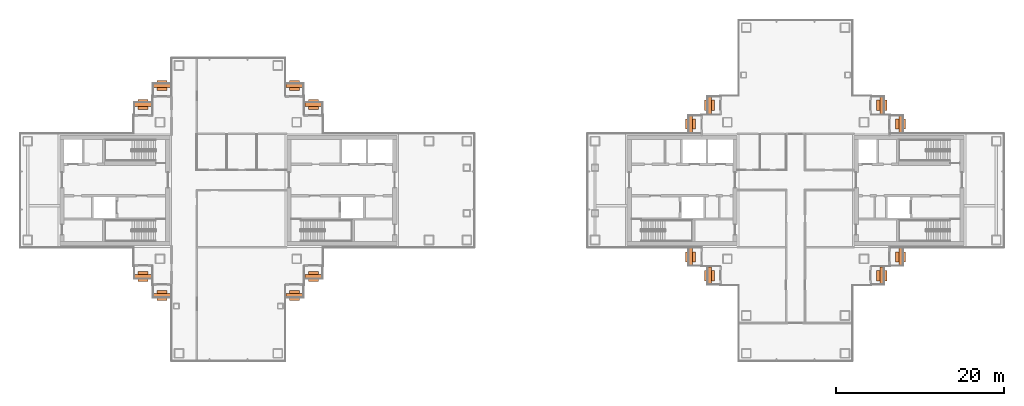
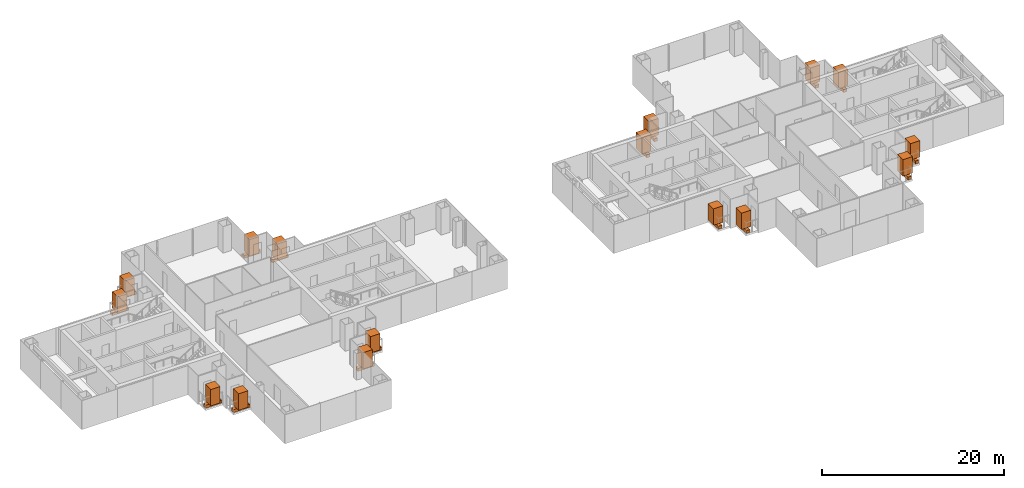
# One storey, part 17 of 17: 16 geographic elements, 16 proxies.
"""IFC4 building model written with IfcOpenShell, lengths in metres."""

from ifc_helpers import new_model, si_unit, direction, frame, origin, origin_2d, place, context, subcontext, project, spatial, rectangle, extrude, material, type_object, element, save


model = new_model("IFC4")

# Units and contexts
model_context = context("Model", 3, precision=1e-05, world=origin(), true_north=direction((0.0, 1.0)))
body_context = subcontext(model_context, "Body", "Model", "MODEL_VIEW")
ifc_project = project(units=[si_unit("LENGTHUNIT", "METRE"), si_unit("AREAUNIT", "SQUARE_METRE"), si_unit("VOLUMEUNIT", "CUBIC_METRE"), si_unit("PLANEANGLEUNIT", "RADIAN"), si_unit("MASSUNIT", "GRAM", prefix="KILO")], contexts=[model_context])

# Site, building, storey
site_placement = place(None, origin())
site = spatial("IfcSite", under=ifc_project, at=site_placement, CompositionType="ELEMENT")
building_placement = place(site_placement, origin())
building = spatial("IfcBuilding", under=site, at=building_placement, Name="Shamsa Quay Exchange Towers", CompositionType="ELEMENT")
storey_placement = place(building_placement, frame((0.0, 0.0, 170.10009765625)))
storey = spatial("IfcBuildingStorey", under=building, at=storey_placement, Name="L40", CompositionType="ELEMENT", Elevation=170.10009765625)

# Proxies
ifc_material_1 = material(Name="Reinforced concrete C30/37, black glass-fibre faced", Category="concrete")
building_element_proxy_type = type_object("IfcBuildingElementProxyType", Name="BALCONY PLANTER", PredefinedType="USERDEFINED", material=ifc_material_1)
for number, where, z_axis, x_axis, name in (
    (1, (-23.60595703125, 10.2451171875, 0.0), (0.0, 0.0, 1.0), (-1.0, 0.0, 0.0), "PLANTER T1-PKEN L40"),
    (2, (-25.85595703125, 12.4951171875, 0.0), (0.0, 0.0, 1.0), (-1.0, 0.0, 0.0), "PLANTER T1-PKEN L40"),
):
    element("IfcBuildingElementProxy", number, at=place(storey_placement, frame(where, z_axis=z_axis, x_axis=x_axis)), inside=storey, type_object=building_element_proxy_type, Name=name, ObjectType="PLANTER", PredefinedType="USERDEFINED", context=body_context, shape_type="SweptSolid", body=[
        extrude(rectangle(XDim=2.092041015625, YDim=0.449951171875, at=origin_2d()), origin(), (0.0, 0.0, 1.0), 0.39990234375),
    ])
for number, where, name in (
    (3, (-23.60595703125, -10.2451171875, 0.0), "PLANTER T1-PKES L40"),
    (4, (-25.85595703125, -12.4951171875, 0.0), "PLANTER T1-PKES L40"),
):
    element("IfcBuildingElementProxy", number, at=place(storey_placement, frame(where)), inside=storey, type_object=building_element_proxy_type, Name=name, ObjectType="PLANTER", PredefinedType="USERDEFINED", context=body_context, shape_type="SweptSolid", body=[
        extrude(rectangle(XDim=2.092041015625, YDim=0.449951171875, at=origin_2d()), origin(), (0.0, 0.0, 1.0), 0.39990234375),
    ])
for number, where, z_axis, x_axis, name in (
    (5, (-41.64404296875, 12.4951171875, 0.0), (0.0, 0.0, 1.0), (-1.0, 0.0, 0.0), "PLANTER T1-PKWN L40"),
    (6, (-43.89404296875, 10.2451171875, 0.0), (0.0, 0.0, 1.0), (-1.0, 0.0, 0.0), "PLANTER T1-PKWN L40"),
):
    element("IfcBuildingElementProxy", number, at=place(storey_placement, frame(where, z_axis=z_axis, x_axis=x_axis)), inside=storey, type_object=building_element_proxy_type, Name=name, ObjectType="PLANTER", PredefinedType="USERDEFINED", context=body_context, shape_type="SweptSolid", body=[
        extrude(rectangle(XDim=2.092041015625, YDim=0.449951171875, at=origin_2d()), origin(), (0.0, 0.0, 1.0), 0.39990234375),
    ])
for number, where, name in (
    (7, (-43.89404296875, -10.2451171875, 0.0), "PLANTER T1-PKWS L40"),
    (8, (-41.64404296875, -12.4951171875, 0.0), "PLANTER T1-PKWS L40"),
):
    element("IfcBuildingElementProxy", number, at=place(storey_placement, frame(where)), inside=storey, type_object=building_element_proxy_type, Name=name, ObjectType="PLANTER", PredefinedType="USERDEFINED", context=body_context, shape_type="SweptSolid", body=[
        extrude(rectangle(XDim=2.092041015625, YDim=0.449951171875, at=origin_2d()), origin(), (0.0, 0.0, 1.0), 0.39990234375),
    ])
for number, where, z_axis, x_axis, name in (
    (9, (23.5048828125, 10.14404296875, 0.0), (0.0, 0.0, 1.0), (0.0, -1.0, 0.0), "PLANTER T2-PKEN L40"),
    (10, (21.2548828125, 7.89404296875, 0.0), (0.0, 0.0, 1.0), (0.0, -1.0, 0.0), "PLANTER T2-PKEN L40"),
    (11, (43.9951171875, 10.14404296875, 0.0), (0.0, 0.0, 1.0), (0.0, 1.0, 0.0), "PLANTER T2-PKES L40"),
    (12, (46.2451171875, 7.89404296875, 0.0), (0.0, 0.0, 1.0), (0.0, 1.0, 0.0), "PLANTER T2-PKES L40"),
    (13, (21.2548828125, -7.89404296875, 0.0), (0.0, 0.0, 1.0), (0.0, -1.0, 0.0), "PLANTER T2-PKWN L40"),
    (14, (23.5048828125, -10.14404296875, 0.0), (0.0, 0.0, 1.0), (0.0, -1.0, 0.0), "PLANTER T2-PKWN L40"),
    (15, (43.9951171875, -10.14404296875, 0.0), (0.0, 0.0, 1.0), (0.0, 1.0, 0.0), "PLANTER T2-PKWS L40"),
    (16, (46.2451171875, -7.89404296875, 0.0), (0.0, 0.0, 1.0), (0.0, 1.0, 0.0), "PLANTER T2-PKWS L40"),
):
    element("IfcBuildingElementProxy", number, at=place(storey_placement, frame(where, z_axis=z_axis, x_axis=x_axis)), inside=storey, type_object=building_element_proxy_type, Name=name, ObjectType="PLANTER", PredefinedType="USERDEFINED", context=body_context, shape_type="SweptSolid", body=[
        extrude(rectangle(XDim=2.092041015625, YDim=0.449951171875, at=origin_2d()), origin(), (0.0, 0.0, 1.0), 0.39990234375),
    ])

# Geographic elements
ifc_material_2 = material(Name="Planting")
geographic_element_type = type_object("IfcGeographicElementType", Name="BALCONY TREE", PredefinedType="USERDEFINED", material=ifc_material_2)
for number, where, z_axis, x_axis, name in (
    (17, (-23.60595703125, 10.2451171875, 0.39990234375), (0.0, 0.0, 1.0), (-1.0, 0.0, 0.0), "TREE T1-PKEN L40"),
    (18, (-25.85595703125, 12.4951171875, 0.39990234375), (0.0, 0.0, 1.0), (-1.0, 0.0, 0.0), "TREE T1-PKEN L40"),
):
    element("IfcGeographicElement", number, at=place(storey_placement, frame(where, z_axis=z_axis, x_axis=x_axis)), inside=storey, type_object=geographic_element_type, Name=name, ObjectType="TREE", PredefinedType="USERDEFINED", context=body_context, shape_type="SweptSolid", body=[
        extrude(rectangle(XDim=1.199951171875, YDim=1.199951171875, at=origin_2d()), origin(), (0.0, 0.0, 1.0), 2.199951171875),
    ])
for number, where, name in (
    (19, (-23.60595703125, -10.2451171875, 0.39990234375), "TREE T1-PKES L40"),
    (20, (-25.85595703125, -12.4951171875, 0.39990234375), "TREE T1-PKES L40"),
):
    element("IfcGeographicElement", number, at=place(storey_placement, frame(where)), inside=storey, type_object=geographic_element_type, Name=name, ObjectType="TREE", PredefinedType="USERDEFINED", context=body_context, shape_type="SweptSolid", body=[
        extrude(rectangle(XDim=1.199951171875, YDim=1.199951171875, at=origin_2d()), origin(), (0.0, 0.0, 1.0), 2.199951171875),
    ])
for number, where, z_axis, x_axis, name in (
    (21, (-41.64404296875, 12.4951171875, 0.39990234375), (0.0, 0.0, 1.0), (-1.0, 0.0, 0.0), "TREE T1-PKWN L40"),
    (22, (-43.89404296875, 10.2451171875, 0.39990234375), (0.0, 0.0, 1.0), (-1.0, 0.0, 0.0), "TREE T1-PKWN L40"),
):
    element("IfcGeographicElement", number, at=place(storey_placement, frame(where, z_axis=z_axis, x_axis=x_axis)), inside=storey, type_object=geographic_element_type, Name=name, ObjectType="TREE", PredefinedType="USERDEFINED", context=body_context, shape_type="SweptSolid", body=[
        extrude(rectangle(XDim=1.199951171875, YDim=1.199951171875, at=origin_2d()), origin(), (0.0, 0.0, 1.0), 2.199951171875),
    ])
for number, where, name in (
    (23, (-43.89404296875, -10.2451171875, 0.39990234375), "TREE T1-PKWS L40"),
    (24, (-41.64404296875, -12.4951171875, 0.39990234375), "TREE T1-PKWS L40"),
):
    element("IfcGeographicElement", number, at=place(storey_placement, frame(where)), inside=storey, type_object=geographic_element_type, Name=name, ObjectType="TREE", PredefinedType="USERDEFINED", context=body_context, shape_type="SweptSolid", body=[
        extrude(rectangle(XDim=1.199951171875, YDim=1.199951171875, at=origin_2d()), origin(), (0.0, 0.0, 1.0), 2.199951171875),
    ])
for number, where, z_axis, x_axis, name in (
    (25, (23.5048828125, 10.14404296875, 0.39990234375), (0.0, 0.0, 1.0), (0.0, -1.0, 0.0), "TREE T2-PKEN L40"),
    (26, (21.2548828125, 7.89404296875, 0.39990234375), (0.0, 0.0, 1.0), (0.0, -1.0, 0.0), "TREE T2-PKEN L40"),
    (27, (43.9951171875, 10.14404296875, 0.39990234375), (0.0, 0.0, 1.0), (0.0, 1.0, 0.0), "TREE T2-PKES L40"),
    (28, (46.2451171875, 7.89404296875, 0.39990234375), (0.0, 0.0, 1.0), (0.0, 1.0, 0.0), "TREE T2-PKES L40"),
    (29, (21.2548828125, -7.89404296875, 0.39990234375), (0.0, 0.0, 1.0), (0.0, -1.0, 0.0), "TREE T2-PKWN L40"),
    (30, (23.5048828125, -10.14404296875, 0.39990234375), (0.0, 0.0, 1.0), (0.0, -1.0, 0.0), "TREE T2-PKWN L40"),
    (31, (43.9951171875, -10.14404296875, 0.39990234375), (0.0, 0.0, 1.0), (0.0, 1.0, 0.0), "TREE T2-PKWS L40"),
    (32, (46.2451171875, -7.89404296875, 0.39990234375), (0.0, 0.0, 1.0), (0.0, 1.0, 0.0), "TREE T2-PKWS L40"),
):
    element("IfcGeographicElement", number, at=place(storey_placement, frame(where, z_axis=z_axis, x_axis=x_axis)), inside=storey, type_object=geographic_element_type, Name=name, ObjectType="TREE", PredefinedType="USERDEFINED", context=body_context, shape_type="SweptSolid", body=[
        extrude(rectangle(XDim=1.199951171875, YDim=1.199951171875, at=origin_2d()), origin(), (0.0, 0.0, 1.0), 2.199951171875),
    ])

save(model, "model.ifc")
